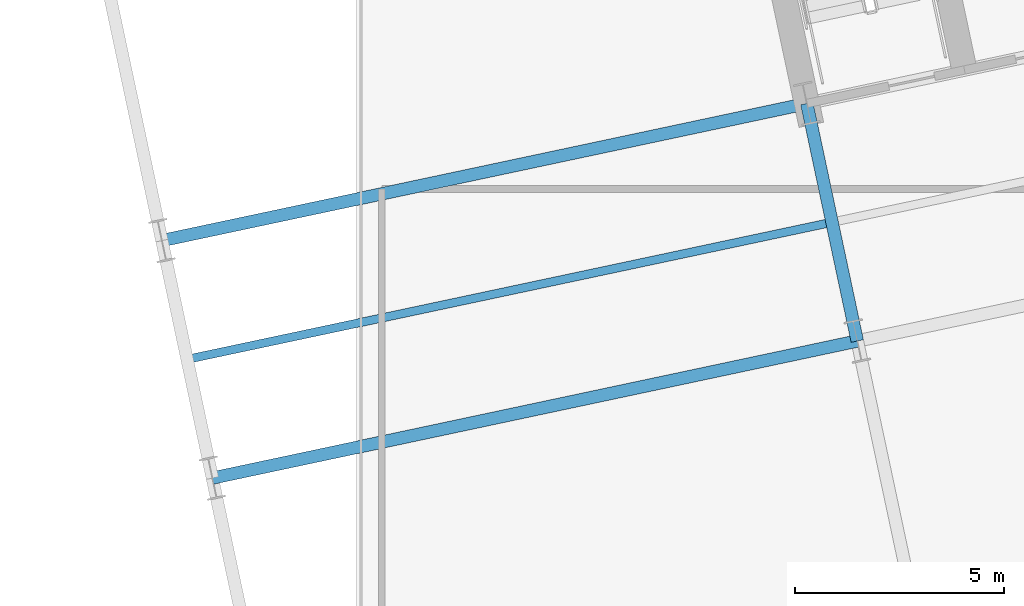
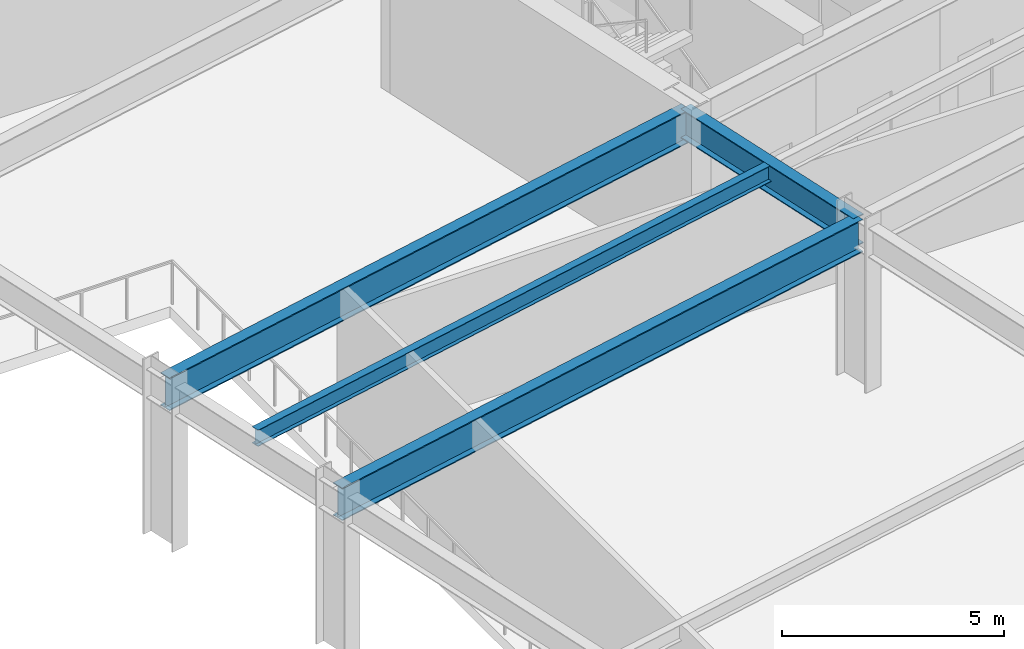
# One storey, part 13 of 30: 4 beams.
"""IFC4 building model written with IfcOpenShell, lengths in metres."""

from ifc_helpers import new_model, si_unit, direction, frame, origin, origin_2d, place, context, subcontext, project, spatial, i_section, extrude, material, material_profile, profile_set, type_object, element, save


model = new_model("IFC4")

# Units and contexts
model_context = context("Model", 3, precision=1e-05, world=origin(), true_north=direction((0.0, 1.0)))
body_context = subcontext(model_context, "Body", "Model", "MODEL_VIEW")
ifc_project = project(units=[si_unit("LENGTHUNIT", "METRE"), si_unit("AREAUNIT", "SQUARE_METRE"), si_unit("VOLUMEUNIT", "CUBIC_METRE"), si_unit("PLANEANGLEUNIT", "RADIAN"), si_unit("MASSUNIT", "GRAM", prefix="KILO")], contexts=[model_context])

# Site, building, storey
site_placement = place(None, origin())
site = spatial("IfcSite", under=ifc_project, at=site_placement, CompositionType="ELEMENT")
building_placement = place(site_placement, origin())
building = spatial("IfcBuilding", under=site, at=building_placement, Name="Haevon Station Towers", CompositionType="ELEMENT")
storey_placement = place(building_placement, frame((0.0, 0.0, 15.60009765625)))
storey = spatial("IfcBuildingStorey", under=building, at=storey_placement, Name="L03", CompositionType="ELEMENT", Elevation=15.60009765625)

# Beams
ifc_material = material(Name="Steel S355", Category="steel")
ifc_material_profile_1 = material_profile(ifc_material, i_section(OverallWidth=0.199951171875, OverallDepth=0.449951171875, WebThickness=0.009033203125, FlangeThickness=0.013916015625, at=origin_2d()), Name="H-450x200x9x14")
ifc_profile_set_1 = profile_set([ifc_material_profile_1], Name="Steel S355")
beam_type_1 = type_object("IfcBeamType", Name="BM-J450", PredefinedType="JOIST", material=ifc_profile_set_1)
beam_1_placement = place(storey_placement, frame((84.05712890625, 31.35400390625, 4.27490234375), z_axis=(0.978145944065, 0.207919484679, 0.0), x_axis=(-0.207919484679, 0.978145944065, 0.0)))
element("IfcBeam", 1, at=beam_1_placement, inside=storey, type_object=beam_type_1, Name="BM-T2J-L03-02-01", PredefinedType="JOIST", context=body_context, shape_type="SweptSolid", body=[
    extrude(i_section(OverallWidth=0.199951171875, OverallDepth=0.449951171875, WebThickness=0.009033203125, FlangeThickness=0.013916015625, at=origin_2d()), origin(), (0.0, 0.0, 1.0), 15.530029296875),
])
ifc_material_profile_2 = material_profile(ifc_material, i_section(OverallWidth=0.300048828125, OverallDepth=0.800048828125, WebThickness=0.013916015625, FlangeThickness=0.02587890625, at=origin_2d()), Name="H-800x300x14x26")
ifc_profile_set_2 = profile_set([ifc_material_profile_2], Name="Steel S355")
beam_type_2 = type_object("IfcBeamType", Name="BM-PG800", PredefinedType="BEAM", material=ifc_profile_set_2)
beam_2_placement = place(storey_placement, frame((99.958251953125, 31.76904296875, 4.099853515625), z_axis=(-0.207896009217, 0.97815093383, 0.0), x_axis=(-0.97815093383, -0.207896009217, 0.0)))
element("IfcBeam", 2, at=beam_2_placement, inside=storey, type_object=beam_type_2, Name="BM-T2V-L03-02-02", PredefinedType="BEAM", context=body_context, shape_type="SweptSolid", body=[
    extrude(i_section(OverallWidth=0.300048828125, OverallDepth=0.800048828125, WebThickness=0.013916015625, FlangeThickness=0.02587890625, at=origin_2d()), origin(), (0.0, 0.0, 1.0), 5.800048828125),
])
ifc_material_profile_3 = material_profile(ifc_material, i_section(OverallWidth=0.300048828125, OverallDepth=0.89990234375, WebThickness=0.01611328125, FlangeThickness=0.028076171875, at=origin_2d()), Name="H-900x300x16x28")
ifc_profile_set_3 = profile_set([ifc_material_profile_3], Name="Steel S355")
beam_type_3 = type_object("IfcBeamType", Name="BM-PG900", PredefinedType="BEAM", material=ifc_profile_set_3)
beam_3_placement = place(storey_placement, frame((84.552490234375, 28.49462890625, 4.0498046875), z_axis=(0.978149946567, 0.207900654232, 0.0), x_axis=(-0.207900654232, 0.978149946567, 0.0)))
element("IfcBeam", 3, at=beam_3_placement, inside=storey, type_object=beam_type_3, Name="BM-T2U-L03-02-01", PredefinedType="BEAM", context=body_context, shape_type="SweptSolid", body=[
    extrude(i_section(OverallWidth=0.300048828125, OverallDepth=0.89990234375, WebThickness=0.01611328125, FlangeThickness=0.028076171875, at=origin_2d()), origin(), (0.0, 0.0, 1.0), 15.75),
])
beam_4_placement = place(storey_placement, frame((83.346435546875, 34.167724609375, 4.0498046875), z_axis=(0.978147464271, 0.207912332825, 0.0), x_axis=(-0.207912332825, 0.978147464271, 0.0)))
element("IfcBeam", 4, at=beam_4_placement, inside=storey, type_object=beam_type_3, Name="BM-T2U-L03-03-01", PredefinedType="BEAM", context=body_context, shape_type="SweptSolid", body=[
    extrude(i_section(OverallWidth=0.300048828125, OverallDepth=0.89990234375, WebThickness=0.01611328125, FlangeThickness=0.028076171875, at=origin_2d()), origin(), (0.0, 0.0, 1.0), 15.750244140625),
])

save(model, "model.ifc")
